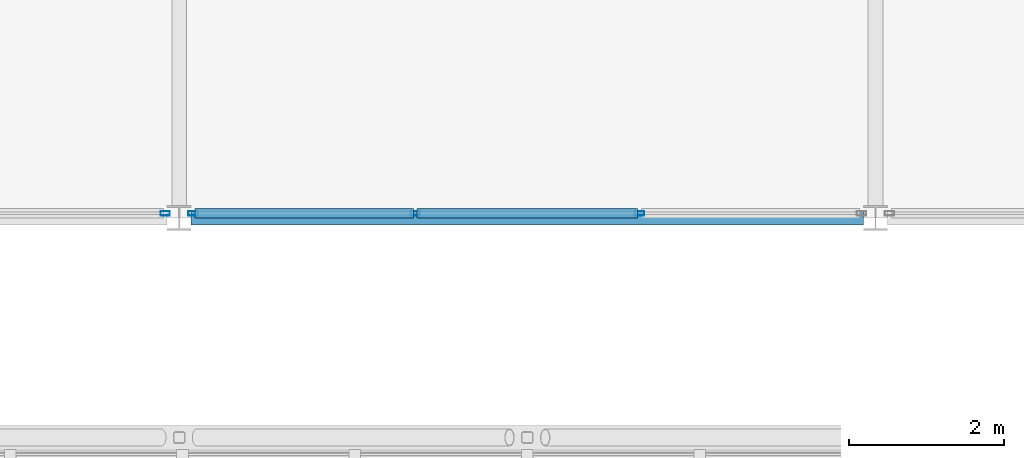
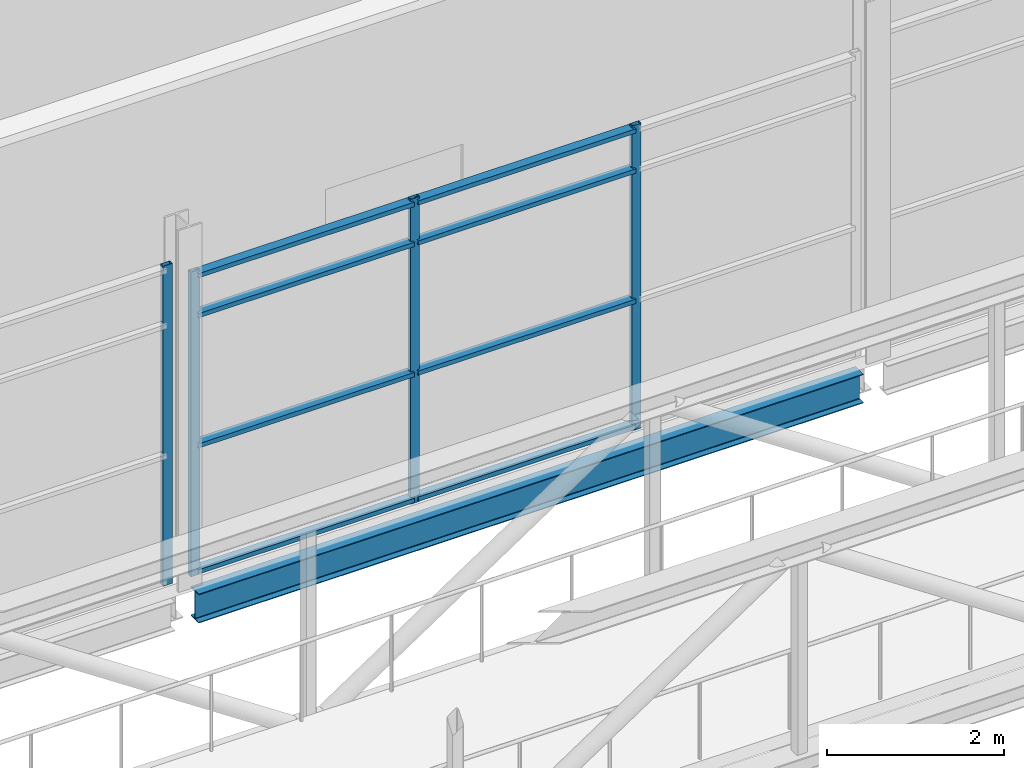
# One storey, part 59 of 115: 12 members, 1 beam, 2 elements without a shape of their own.
"""IFC4 building model written with IfcOpenShell, lengths in metres."""

import ifcopenshell
import ifcopenshell.guid

model = None  # the IFC model being written
_history = None  # IfcOwnerHistory: only IFC2X3 demands one
_inside = {}  # id of a spatial element -> (the spatial element, [elements in it])
_under = {}  # id of a project, library or spatial element -> (it, [spatial elements below it])
_declared = {}  # id of a project -> (the project, [libraries it declares])
_typed = {}  # id of a type object -> (the type object, [elements of that type])
_made_of = {}  # id of a material, layer set ... -> (it, [elements and type objects made of it])


def new_model(schema):
    """Start an empty IFC model of exactly this schema.

    Asked for "IFC4X3", IfcOpenShell would pick the latest addendum, in which some entities
    have other attributes; the version numbers below select the first issue.
    IFC2X3 requires an IfcOwnerHistory on every rooted entity: one is made here for all.
    """
    global model, _history
    if schema == "IFC4X3":
        model = ifcopenshell.file(schema_version=(4, 3, 0, 0))
    else:
        model = ifcopenshell.file(schema=schema)
    _inside.clear()
    _under.clear()
    _declared.clear()
    _typed.clear()
    _made_of.clear()
    _history = None
    if model.schema == "IFC2X3":
        org = make("IfcOrganization", Name="unknown")
        user = make(
            "IfcPersonAndOrganization",
            ThePerson=make("IfcPerson", FamilyName="unknown"),
            TheOrganization=org,
        )
        app = make(
            "IfcApplication",
            ApplicationDeveloper=org,
            Version="unknown",
            ApplicationFullName="unknown",
            ApplicationIdentifier="unknown",
        )
        _history = make(
            "IfcOwnerHistory",
            OwningUser=user,
            OwningApplication=app,
            ChangeAction="ADDED",
            CreationDate=0,
        )
    return model


def make(cls, **values):
    """One entity of the class cls with the attributes given. An attribute that is None is left unset."""
    return model.create_entity(
        cls, **{name: value for name, value in values.items() if value is not None}
    )


def rooted(cls, **values):
    """An entity with a GlobalId (a new one), such as an element, a storey or a relation."""
    return make(cls, GlobalId=ifcopenshell.guid.new(), OwnerHistory=_history, **values)


def si_unit(unit_type, name, prefix=None):
    """IfcSIUnit, for example si_unit("LENGTHUNIT", "METRE", prefix="MILLI")."""
    return make("IfcSIUnit", UnitType=unit_type, Prefix=prefix, Name=name)


def assignment(units):
    """IfcUnitAssignment: the units of a project."""
    return None if units is None else make("IfcUnitAssignment", Units=units)


def point(xyz):
    """IfcCartesianPoint."""
    return None if xyz is None else make("IfcCartesianPoint", Coordinates=xyz)


def direction(xyz):
    """IfcDirection."""
    return None if xyz is None else make("IfcDirection", DirectionRatios=xyz)


def frame(location, z_axis=None, x_axis=None):
    """IfcAxis2Placement3D, a coordinate frame: its origin and axes. An axis left out is left unset."""
    return make(
        "IfcAxis2Placement3D",
        Location=point(location),
        Axis=direction(z_axis),
        RefDirection=direction(x_axis),
    )


def frame_2d(location, x_axis=None):
    """IfcAxis2Placement2D, a coordinate frame in the plane: its origin and x axis."""
    return make(
        "IfcAxis2Placement2D", Location=point(location), RefDirection=direction(x_axis)
    )


def origin():
    """The frame at (0, 0, 0) with its axes left unset."""
    return frame((0.0, 0.0, 0.0))


def origin_2d():
    """The frame at (0, 0) in the plane with its x axis left unset."""
    return frame_2d((0.0, 0.0))


def place(relative_to, where):
    """IfcLocalPlacement: puts the frame where relative to a parent placement (None: the world)."""
    return make(
        "IfcLocalPlacement", PlacementRelTo=relative_to, RelativePlacement=where
    )


def context(
    kind, dimensions, precision=None, world=None, true_north=None, identifier=None
):
    """IfcGeometricRepresentationContext, for example the 3D "Model" context."""
    return make(
        "IfcGeometricRepresentationContext",
        ContextIdentifier=identifier,
        ContextType=kind,
        CoordinateSpaceDimension=dimensions,
        Precision=precision,
        WorldCoordinateSystem=world,
        TrueNorth=true_north,
    )


def subcontext(parent, identifier, kind, view, scale=None):
    """IfcGeometricRepresentationSubContext, for example "Body" below "Model"."""
    return make(
        "IfcGeometricRepresentationSubContext",
        ContextIdentifier=identifier,
        ContextType=kind,
        ParentContext=parent,
        TargetScale=scale,
        TargetView=view,
    )


def project(units=None, contexts=None):
    """IfcProject with its units and contexts."""
    return rooted(
        "IfcProject",
        Name="project",
        RepresentationContexts=contexts,
        UnitsInContext=assignment(units),
    )


def spatial(cls, under=None, at=None, **own):
    """A site, building, storey or space (cls), placed at a placement, below another one or the project."""
    s = rooted(cls, ObjectPlacement=at, **own)
    if under is not None:
        _under.setdefault(under.id(), (under, []))[1].append(s)
    return s


def profile(cls, at=None, kind="AREA", **sizes):
    """A parametric profile (cls). Its sizes go by their IFC names, for example OverallWidth=200.0."""
    return make(cls, ProfileType=kind, Position=at, **sizes)


def hollow_rectangle(**sizes):
    """IfcRectangleHollowProfileDef."""
    return profile("IfcRectangleHollowProfileDef", **sizes)


def i_section(**sizes):
    """IfcIShapeProfileDef."""
    return profile("IfcIShapeProfileDef", **sizes)


def extrude(swept, where, along, depth):
    """IfcExtrudedAreaSolid: the profile swept, set in the frame where, extruded along a direction by depth."""
    return make(
        "IfcExtrudedAreaSolid",
        SweptArea=swept,
        Position=where,
        ExtrudedDirection=direction(along),
        Depth=depth,
    )


def shape(context_of_items, identifier, shape_type, items):
    """IfcShapeRepresentation: the items that make up one representation, for example the "Body"."""
    return make(
        "IfcShapeRepresentation",
        ContextOfItems=context_of_items,
        RepresentationIdentifier=identifier,
        RepresentationType=shape_type,
        Items=items,
    )


def material(Name=None, Category=None):
    """IfcMaterial."""
    return make("IfcMaterial", Name=Name, Category=Category)


def layer(
    of_material, thickness, ventilated=None, Name=None, Category=None, Priority=None
):
    """IfcMaterialLayer: one layer of a wall or slab, of a material (None: an air gap)."""
    return make(
        "IfcMaterialLayer",
        Material=of_material,
        LayerThickness=thickness,
        IsVentilated=ventilated,
        Name=Name,
        Category=Category,
        Priority=Priority,
    )


def layer_set(layers, Name=None):
    """IfcMaterialLayerSet."""
    return make("IfcMaterialLayerSet", MaterialLayers=layers, LayerSetName=Name)


def material_profile(
    of_material, cross_section, Name=None, Category=None, Priority=None
):
    """IfcMaterialProfile: a cross section and its material."""
    return make(
        "IfcMaterialProfile",
        Name=Name,
        Material=of_material,
        Profile=cross_section,
        Priority=Priority,
        Category=Category,
    )


def profile_set(profiles, Name=None, composite=None):
    """IfcMaterialProfileSet."""
    return make(
        "IfcMaterialProfileSet",
        Name=Name,
        MaterialProfiles=profiles,
        CompositeProfile=composite,
    )


def made_of(thing, what):
    """Note that an element or type object is made of a material, layer set ...; save() writes the relation."""
    if what is not None:
        _made_of.setdefault(what.id(), (what, []))[1].append(thing)
    return thing


def type_object(cls, material=None, **own):
    """A type object (cls), such as IfcWallType, which elements share."""
    return made_of(rooted(cls, **own), material)


def element(
    cls,
    number,
    at=None,
    inside=None,
    cuts=None,
    type_object=None,
    material=None,
    context=None,
    identifier="Body",
    shape_type=None,
    held_by="IfcProductDefinitionShape",
    body=None,
    shapes=None,
    **own,
):
    """One element of the class cls, such as IfcWall. Its Tag is "e" and its number.

    at: its placement. inside: the storey or other place that contains it. cuts: it is an
    opening in that element (IfcRelVoidsElement). A single representation is given by context,
    identifier, shape_type and body (its items); several are given by shapes. held_by: the class
    of the entity that holds the representations. save() writes the other relations.
    """
    e = rooted(cls, Tag="e%d" % number, ObjectPlacement=at, **own)
    if body is not None:
        shapes = [shape(context, identifier, shape_type, body)]
    if shapes is not None:
        e.Representation = make(held_by, Representations=shapes)
    if inside is not None:
        _inside.setdefault(inside.id(), (inside, []))[1].append(e)
    if cuts is not None:
        rooted(
            "IfcRelVoidsElement", RelatingBuildingElement=cuts, RelatedOpeningElement=e
        )
    if type_object is not None:
        _typed.setdefault(type_object.id(), (type_object, []))[1].append(e)
    return made_of(e, material)


def aggregate(whole, parts):
    """IfcRelAggregates: a whole, such as a stair, and the parts it consists of."""
    return rooted("IfcRelAggregates", RelatingObject=whole, RelatedObjects=parts)


def save(model, path):
    """Write the relations noted so far, then the file.

    IfcRelAggregates (storeys below a building ...), IfcRelContainedInSpatialStructure (elements
    in a storey), IfcRelDefinesByType, IfcRelAssociatesMaterial and IfcRelDeclares: one each for
    every whole, place, type object, material and project.
    """
    for whole, parts in _under.values():
        aggregate(whole, parts)
    for where, things in _inside.values():
        rooted(
            "IfcRelContainedInSpatialStructure",
            RelatedElements=things,
            RelatingStructure=where,
        )
    for kind, things in _typed.values():
        rooted("IfcRelDefinesByType", RelatedObjects=things, RelatingType=kind)
    for what, things in _made_of.values():
        rooted("IfcRelAssociatesMaterial", RelatedObjects=things, RelatingMaterial=what)
    for by, libraries in _declared.values():
        rooted("IfcRelDeclares", RelatingContext=by, RelatedDefinitions=libraries)
    model.write(path)


model = new_model("IFC4")

# Units and contexts
model_context = context("Model", 3, precision=1e-05, world=origin(), true_north=direction((0.0, 1.0)))
body_context = subcontext(model_context, "Body", "Model", "MODEL_VIEW")
ifc_project = project(units=[si_unit("LENGTHUNIT", "METRE"), si_unit("AREAUNIT", "SQUARE_METRE"), si_unit("VOLUMEUNIT", "CUBIC_METRE"), si_unit("PLANEANGLEUNIT", "RADIAN"), si_unit("MASSUNIT", "GRAM", prefix="KILO")], contexts=[model_context])

# Site, building, storey
site_placement = place(None, origin())
site = spatial("IfcSite", under=ifc_project, at=site_placement, CompositionType="ELEMENT")
building_placement = place(site_placement, origin())
building = spatial("IfcBuilding", under=site, at=building_placement, Name="Shorebreak Coast Museum", CompositionType="ELEMENT")
storey_placement = place(building_placement, frame((0.0, 0.0, 11.0)))
storey = spatial("IfcBuildingStorey", under=building, at=storey_placement, Name="L02", CompositionType="ELEMENT", Elevation=11.0)

# Beam
ifc_material_1 = material(Name="Steel Grade 300", Category="steel")
ifc_material_profile_1 = material_profile(ifc_material_1, i_section(OverallWidth=0.177978515625, OverallDepth=0.402587890625, WebThickness=0.007568359375, FlangeThickness=0.010986328125, FilletRadius=0.011474609375, at=origin_2d()), Name="410UB53.7")
ifc_profile_set_1 = profile_set([ifc_material_profile_1], Name="Steel Grade 300")
beam_type = type_object("IfcBeamType", Name="Floor girder east-west 410UB53.7", PredefinedType="BEAM", material=ifc_profile_set_1)
beam_placement = place(storey_placement, frame((81.155517578125, 81.0, -0.376220703125), z_axis=(1.0, 0.0, 0.0), x_axis=(0.0, 1.0, 0.0)))
element("IfcBeam", 1, at=beam_placement, inside=storey, type_object=beam_type, Name="Floor girder east-west L02 10K", PredefinedType="BEAM", context=body_context, shape_type="SweptSolid", body=[
    extrude(i_section(OverallWidth=0.177978515625, OverallDepth=0.402587890625, WebThickness=0.007568359375, FlangeThickness=0.010986328125, FilletRadius=0.011474609375, at=origin_2d()), origin(), (0.0, 0.0, 1.0), 8.68896484375),
])

# Curtain wall, member
ifc_material_2 = material(Name="Aluminium", Category="aluminium")
ifc_layer = layer(ifc_material_2, 0.1201171875)
ifc_layer_set = layer_set([ifc_layer], Name="Aluminium")
curtain_wall_type = type_object("IfcCurtainWallType", Name="Atrium fire screen", PredefinedType="NOTDEFINED", material=ifc_layer_set)
curtain_wall_1_placement = place(storey_placement, origin())
curtain_wall_1 = element("IfcCurtainWall", 2, at=curtain_wall_1_placement, inside=storey, type_object=curtain_wall_type, Name="Atrium screen L02 N 23", PredefinedType="NOTDEFINED")
ifc_material_3 = material(Name="Aluminium", Category="aluminium")
ifc_material_profile_2 = material_profile(ifc_material_3, hollow_rectangle(XDim=0.06005859375, YDim=0.1201171875, WallThickness=0.00341796875, at=origin_2d()), Name="AL 120x60 RHS")
ifc_profile_set_2 = profile_set([ifc_material_profile_2], Name="Aluminium")
member_type_1 = type_object("IfcMemberType", Name="Screen mullion 50 x 120", PredefinedType="MULLION", material=ifc_profile_set_2)
member_1_placement = place(storey_placement, frame((80.819580078125, 81.06005859375, 0.0), z_axis=(0.0, 0.0, 1.0), x_axis=(0.0, 1.0, 0.0)))
member_1 = element("IfcMember", 3, at=member_1_placement, type_object=member_type_1, Name="CW6 mullion 4", PredefinedType="MULLION", context=body_context, shape_type="SweptSolid", body=[
    extrude(hollow_rectangle(XDim=0.06005859375, YDim=0.1201171875, WallThickness=0.00341796875, at=origin_2d()), origin(), (0.0, 0.0, 1.0), 4.42236328125),
])
aggregate(curtain_wall_1, [member_1])

# Curtain wall, members
curtain_wall_2_placement = place(storey_placement, origin())
curtain_wall_2 = element("IfcCurtainWall", 4, at=curtain_wall_2_placement, inside=storey, type_object=curtain_wall_type, Name="Atrium screen L02 N 24", PredefinedType="NOTDEFINED")
member_2_placement = place(storey_placement, frame((81.180419921875, 81.06005859375, 0.0), z_axis=(0.0, 0.0, 1.0), x_axis=(0.0, 1.0, 0.0)))
member_2 = element("IfcMember", 5, at=member_2_placement, type_object=member_type_1, Name="CW4 mullion 1", PredefinedType="MULLION", context=body_context, shape_type="SweptSolid", body=[
    extrude(hollow_rectangle(XDim=0.06005859375, YDim=0.1201171875, WallThickness=0.00341796875, at=origin_2d()), origin(), (0.0, 0.0, 1.0), 4.212890625),
])
member_3_placement = place(storey_placement, frame((84.0517578125, 81.06005859375, 0.0), z_axis=(0.0, 0.0, 1.0), x_axis=(0.0, 1.0, 0.0)))
member_3 = element("IfcMember", 6, at=member_3_placement, type_object=member_type_1, Name="CW4 mullion 2", PredefinedType="MULLION", context=body_context, shape_type="SweptSolid", body=[
    extrude(hollow_rectangle(XDim=0.06005859375, YDim=0.1201171875, WallThickness=0.00341796875, at=origin_2d()), origin(), (0.0, 0.0, 1.0), 4.212890625),
])
member_4_placement = place(storey_placement, frame((86.9482421875, 81.06005859375, 0.0), z_axis=(0.0, 0.0, 1.0), x_axis=(0.0, 1.0, 0.0)))
member_4 = element("IfcMember", 7, at=member_4_placement, type_object=member_type_1, Name="CW4 mullion 3", PredefinedType="MULLION", context=body_context, shape_type="SweptSolid", body=[
    extrude(hollow_rectangle(XDim=0.06005859375, YDim=0.1201171875, WallThickness=0.00341796875, at=origin_2d()), origin(), (0.0, 0.0, 1.0), 4.212890625),
])
ifc_material_4 = material(Name="Aluminium", Category="aluminium")
ifc_material_profile_3 = material_profile(ifc_material_4, hollow_rectangle(XDim=0.1201171875, YDim=0.06005859375, WallThickness=0.00341796875, at=origin_2d()), Name="AL 60x120 RHS")
ifc_profile_set_3 = profile_set([ifc_material_profile_3], Name="Aluminium")
member_type_2 = type_object("IfcMemberType", Name="Screen transom 120 x 50", PredefinedType="USERDEFINED", material=ifc_profile_set_3)
member_5_placement = place(storey_placement, frame((81.20556640625, 81.06005859375, 0.06005859375), z_axis=(1.0, 0.0, 0.0), x_axis=(0.0, 1.0, 0.0)))
member_5 = element("IfcMember", 8, at=member_5_placement, type_object=member_type_2, Name="CW4 transom 1.1", ObjectType="TRANSOM", PredefinedType="USERDEFINED", context=body_context, shape_type="SweptSolid", body=[
    extrude(hollow_rectangle(XDim=0.1201171875, YDim=0.06005859375, WallThickness=0.00341796875, at=origin_2d()), origin(), (0.0, 0.0, 1.0), 2.8212890625),
])
member_6_placement = place(storey_placement, frame((81.20556640625, 81.06005859375, 1.800048828125), z_axis=(1.0, 0.0, 0.0), x_axis=(0.0, 1.0, 0.0)))
member_6 = element("IfcMember", 9, at=member_6_placement, type_object=member_type_2, Name="CW4 transom 1.2", ObjectType="TRANSOM", PredefinedType="USERDEFINED", context=body_context, shape_type="SweptSolid", body=[
    extrude(hollow_rectangle(XDim=0.1201171875, YDim=0.06005859375, WallThickness=0.00341796875, at=origin_2d()), origin(), (0.0, 0.0, 1.0), 2.8212890625),
])
member_7_placement = place(storey_placement, frame((81.20556640625, 81.06005859375, 3.60009765625), z_axis=(1.0, 0.0, 0.0), x_axis=(0.0, 1.0, 0.0)))
member_7 = element("IfcMember", 10, at=member_7_placement, type_object=member_type_2, Name="CW4 transom 1.3", ObjectType="TRANSOM", PredefinedType="USERDEFINED", context=body_context, shape_type="SweptSolid", body=[
    extrude(hollow_rectangle(XDim=0.1201171875, YDim=0.06005859375, WallThickness=0.00341796875, at=origin_2d()), origin(), (0.0, 0.0, 1.0), 2.8212890625),
])
member_8_placement = place(storey_placement, frame((81.20556640625, 81.06005859375, 4.153076171875), z_axis=(1.0, 0.0, 0.0), x_axis=(0.0, 1.0, 0.0)))
member_8 = element("IfcMember", 11, at=member_8_placement, type_object=member_type_2, Name="CW4 transom 1.4", ObjectType="TRANSOM", PredefinedType="USERDEFINED", context=body_context, shape_type="SweptSolid", body=[
    extrude(hollow_rectangle(XDim=0.1201171875, YDim=0.06005859375, WallThickness=0.00341796875, at=origin_2d()), origin(), (0.0, 0.0, 1.0), 2.8212890625),
])
member_9_placement = place(storey_placement, frame((84.076904296875, 81.06005859375, 0.06005859375), z_axis=(1.0, 0.0, 0.0), x_axis=(0.0, 1.0, 0.0)))
member_9 = element("IfcMember", 12, at=member_9_placement, type_object=member_type_2, Name="CW4 transom 2.1", ObjectType="TRANSOM", PredefinedType="USERDEFINED", context=body_context, shape_type="SweptSolid", body=[
    extrude(hollow_rectangle(XDim=0.1201171875, YDim=0.06005859375, WallThickness=0.00341796875, at=origin_2d()), origin(), (0.0, 0.0, 1.0), 2.84619140625),
])
member_10_placement = place(storey_placement, frame((84.076904296875, 81.06005859375, 1.800048828125), z_axis=(1.0, 0.0, 0.0), x_axis=(0.0, 1.0, 0.0)))
member_10 = element("IfcMember", 13, at=member_10_placement, type_object=member_type_2, Name="CW4 transom 2.2", ObjectType="TRANSOM", PredefinedType="USERDEFINED", context=body_context, shape_type="SweptSolid", body=[
    extrude(hollow_rectangle(XDim=0.1201171875, YDim=0.06005859375, WallThickness=0.00341796875, at=origin_2d()), origin(), (0.0, 0.0, 1.0), 2.84619140625),
])
member_11_placement = place(storey_placement, frame((84.076904296875, 81.06005859375, 3.60009765625), z_axis=(1.0, 0.0, 0.0), x_axis=(0.0, 1.0, 0.0)))
member_11 = element("IfcMember", 14, at=member_11_placement, type_object=member_type_2, Name="CW4 transom 2.3", ObjectType="TRANSOM", PredefinedType="USERDEFINED", context=body_context, shape_type="SweptSolid", body=[
    extrude(hollow_rectangle(XDim=0.1201171875, YDim=0.06005859375, WallThickness=0.00341796875, at=origin_2d()), origin(), (0.0, 0.0, 1.0), 2.84619140625),
])
member_12_placement = place(storey_placement, frame((84.076904296875, 81.06005859375, 4.153076171875), z_axis=(1.0, 0.0, 0.0), x_axis=(0.0, 1.0, 0.0)))
member_12 = element("IfcMember", 15, at=member_12_placement, type_object=member_type_2, Name="CW4 transom 2.4", ObjectType="TRANSOM", PredefinedType="USERDEFINED", context=body_context, shape_type="SweptSolid", body=[
    extrude(hollow_rectangle(XDim=0.1201171875, YDim=0.06005859375, WallThickness=0.00341796875, at=origin_2d()), origin(), (0.0, 0.0, 1.0), 2.84619140625),
])
aggregate(curtain_wall_2, [member_2, member_3, member_4, member_5, member_6, member_7, member_8, member_9, member_10, member_11, member_12])

save(model, "model.ifc")
